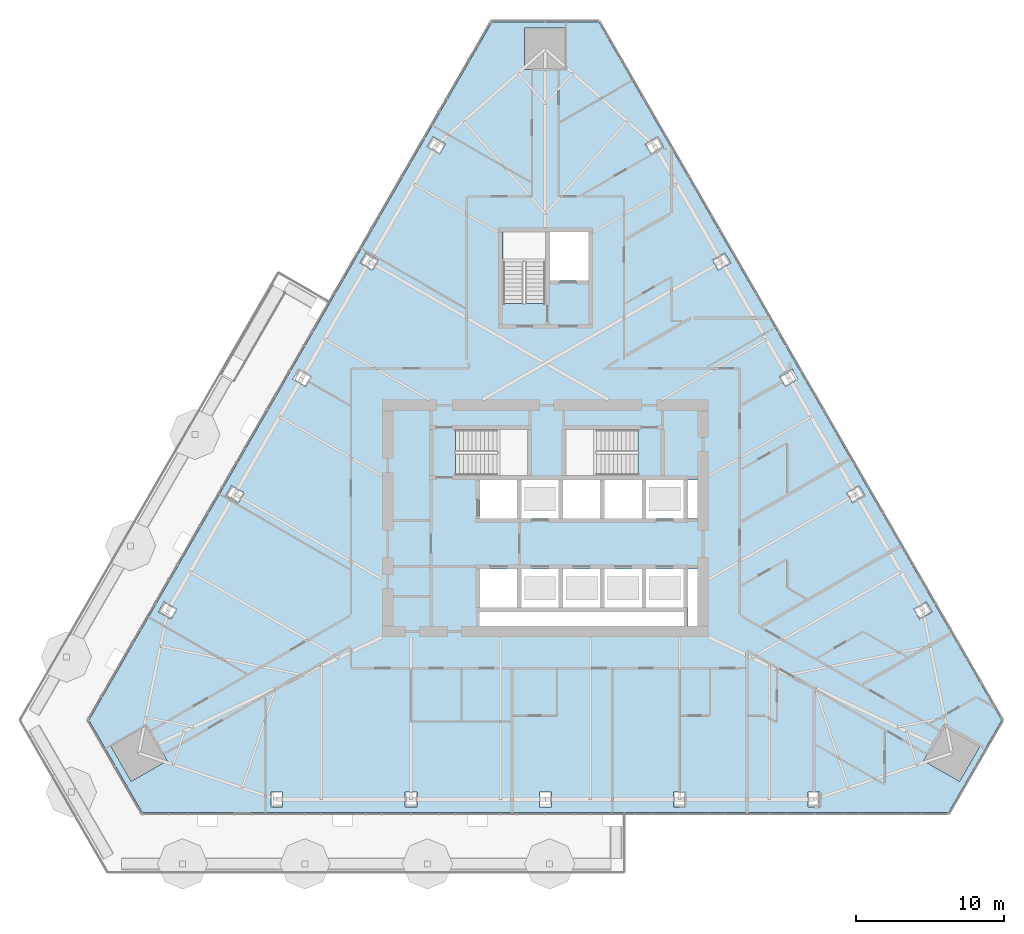
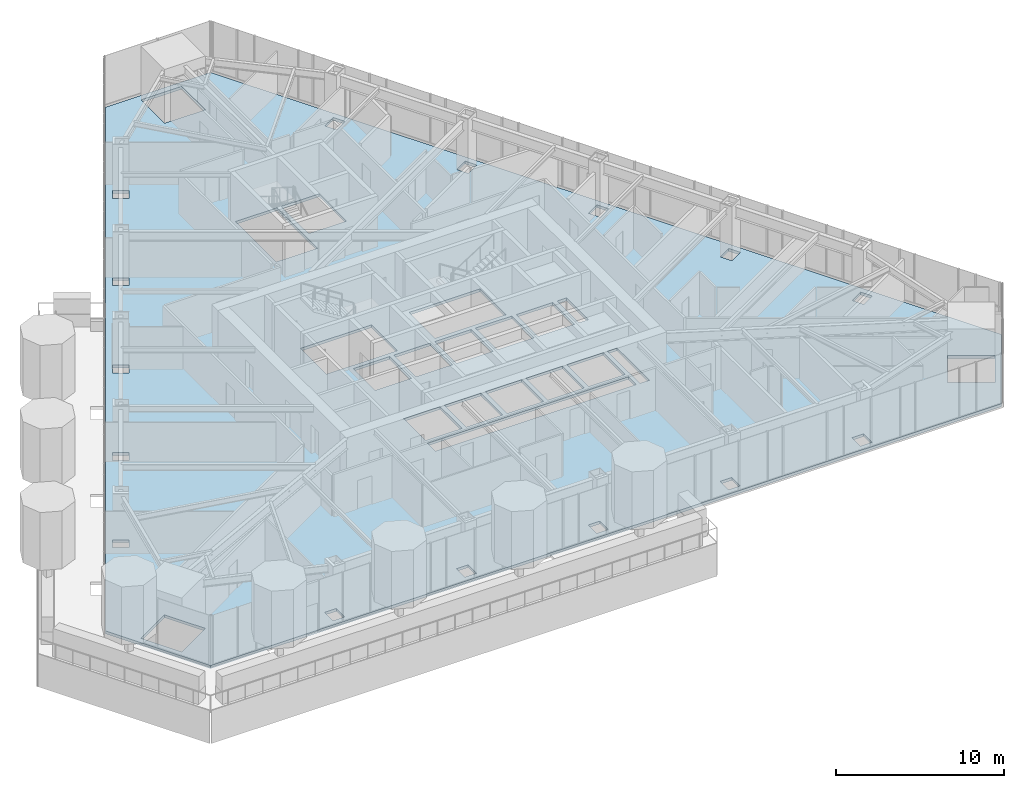
# One storey, part 20 of 32: 1 slab.
"""IFC4 building model written with IfcOpenShell, lengths in metres."""

from ifc_helpers import new_model, si_unit, direction, frame, origin, place, context, subcontext, project, spatial, polyline, outline, extrude, material, layer, layer_set, type_object, element, save


model = new_model("IFC4")

# Units and contexts
model_context = context("Model", 3, precision=1e-05, world=origin(), true_north=direction((0.0, 1.0)))
body_context = subcontext(model_context, "Body", "Model", "MODEL_VIEW")
ifc_project = project(units=[si_unit("LENGTHUNIT", "METRE"), si_unit("AREAUNIT", "SQUARE_METRE"), si_unit("VOLUMEUNIT", "CUBIC_METRE"), si_unit("PLANEANGLEUNIT", "RADIAN"), si_unit("MASSUNIT", "GRAM", prefix="KILO")], contexts=[model_context])

# Site, building, storey
site_placement = place(None, origin())
site = spatial("IfcSite", under=ifc_project, at=site_placement, CompositionType="ELEMENT")
building_placement = place(site_placement, origin())
building = spatial("IfcBuilding", under=site, at=building_placement, Name="Firuza Gate Tower and Library", CompositionType="ELEMENT")
storey_placement = place(building_placement, frame((0.0, 0.0, 163.60009765625)))
storey = spatial("IfcBuildingStorey", under=building, at=storey_placement, Name="L37", CompositionType="ELEMENT", Elevation=163.60009765625)

# Slab
ifc_material = material(Name="Concrete C40/50", Category="concrete")
ifc_layer = layer(ifc_material, 0.199951171875)
ifc_layer_set = layer_set([ifc_layer], Name="Composite floor slab 200 C40/50")
slab_type = type_object("IfcSlabType", Name="Composite floor slab 200 C40/50", PredefinedType="FLOOR", material=ifc_layer_set)
slab_placement = place(storey_placement, frame((0.0, 0.0, -0.2001953125)))
element("IfcSlab", 1, at=slab_placement, inside=storey, type_object=slab_type, Name="Floor slab L37", PredefinedType="FLOOR", context=body_context, shape_type="SweptSolid", body=[
    extrude(outline(polyline([(44.238037109375, 61.396484375), (47.838134765625, 55.1611328125), (102.161865234375, 55.1611328125), (105.761962890625, 61.396484375), (78.60009765625, 108.4423828125), (71.39990234375, 108.4423828125), (44.238037109375, 61.396484375)]), holes=[polyline([(56.491943359375, 55.56103515625), (56.491943359375, 56.56103515625), (57.2919921875, 56.56103515625), (57.2919921875, 55.56103515625), (56.491943359375, 55.56103515625)]), polyline([(74.60009765625, 55.56103515625), (74.60009765625, 56.56103515625), (75.39990234375, 56.56103515625), (75.39990234375, 55.56103515625), (74.60009765625, 55.56103515625)]), polyline([(65.546142578125, 55.56103515625), (65.546142578125, 56.56103515625), (66.345947265625, 56.56103515625), (66.345947265625, 55.56103515625), (65.546142578125, 55.56103515625)]), polyline([(45.6845703125, 59.691162109375), (48.109375, 61.09130859375), (49.50927734375, 58.66650390625), (47.08447265625, 57.266357421875), (45.6845703125, 59.691162109375)]), polyline([(84.35009765625, 67.75), (70.550048828125, 67.75), (70.550048828125, 68.699951171875), (84.35009765625, 68.699951171875), (84.35009765625, 67.75)]), polyline([(49.3115234375, 69.3837890625), (50.177490234375, 68.8837890625), (49.777587890625, 68.191162109375), (48.911376953125, 68.691162109375), (49.3115234375, 69.3837890625)]), polyline([(73.10009765625, 69.0), (70.60009765625, 69.0), (70.60009765625, 71.60009765625), (73.10009765625, 71.60009765625), (73.10009765625, 69.0)]), polyline([(75.89990234375, 69.0), (73.39990234375, 69.0), (73.39990234375, 71.60009765625), (75.89990234375, 71.60009765625), (75.89990234375, 69.0)]), polyline([(73.10009765625, 75.0), (70.60009765625, 75.0), (70.60009765625, 77.60009765625), (73.10009765625, 77.60009765625), (73.10009765625, 75.0)]), polyline([(75.89990234375, 75.0), (73.39990234375, 75.0), (73.39990234375, 77.60009765625), (75.89990234375, 77.60009765625), (75.89990234375, 75.0)]), polyline([(53.83837890625, 77.224853515625), (54.70458984375, 76.724853515625), (54.304443359375, 76.031982421875), (53.4384765625, 76.531982421875), (53.83837890625, 77.224853515625)]), polyline([(73.81005859375, 77.89990234375), (68.9404296875, 77.89990234375), (68.9404296875, 80.97998046875), (73.81005859375, 80.97998046875), (73.81005859375, 77.89990234375)]), polyline([(58.365478515625, 85.06591796875), (59.2314453125, 84.56591796875), (58.83154296875, 83.873046875), (57.96533203125, 84.373046875), (58.365478515625, 85.06591796875)]), polyline([(72.159912109375, 89.470458984375), (72.159912109375, 94.300048828125), (75.0, 94.300048828125), (75.0, 89.470458984375), (72.159912109375, 89.470458984375)]), polyline([(62.892333984375, 92.90673828125), (63.758544921875, 92.40673828125), (63.3583984375, 91.714111328125), (62.492431640625, 92.214111328125), (62.892333984375, 92.90673828125)]), polyline([(75.300048828125, 91.050048828125), (75.300048828125, 94.300048828125), (77.89990234375, 94.300048828125), (77.89990234375, 91.050048828125), (75.300048828125, 91.050048828125)]), polyline([(68.285400390625, 100.247802734375), (67.885498046875, 99.554931640625), (67.01953125, 100.054931640625), (67.41943359375, 100.747802734375), (68.285400390625, 100.247802734375)]), polyline([(76.39990234375, 108.042236328125), (76.39990234375, 105.242431640625), (73.60009765625, 105.242431640625), (73.60009765625, 108.042236328125), (76.39990234375, 108.042236328125)]), polyline([(92.7080078125, 55.56103515625), (92.7080078125, 56.56103515625), (93.508056640625, 56.56103515625), (93.508056640625, 55.56103515625), (92.7080078125, 55.56103515625)]), polyline([(83.654052734375, 55.56103515625), (83.654052734375, 56.56103515625), (84.453857421875, 56.56103515625), (84.453857421875, 55.56103515625), (83.654052734375, 55.56103515625)]), polyline([(102.91552734375, 57.266357421875), (100.49072265625, 58.66650390625), (101.890625, 61.09130859375), (104.3154296875, 59.691162109375), (102.91552734375, 57.266357421875)]), polyline([(101.088623046875, 68.691162109375), (100.222412109375, 68.191162109375), (99.822509765625, 68.8837890625), (100.6884765625, 69.3837890625), (101.088623046875, 68.691162109375)]), polyline([(85.25, 67.75), (84.60009765625, 67.75), (84.60009765625, 71.60009765625), (85.25, 71.60009765625), (85.25, 67.75)]), polyline([(81.5, 69.0), (79.0, 69.0), (79.0, 71.60009765625), (81.5, 71.60009765625), (81.5, 69.0)]), polyline([(81.800048828125, 69.0), (81.800048828125, 71.60009765625), (84.300048828125, 71.60009765625), (84.300048828125, 69.0), (81.800048828125, 69.0)]), polyline([(76.199951171875, 69.0), (76.199951171875, 71.60009765625), (78.699951171875, 71.60009765625), (78.699951171875, 69.0), (76.199951171875, 69.0)]), polyline([(81.5, 75.0), (79.0, 75.0), (79.0, 77.60009765625), (81.5, 77.60009765625), (81.5, 75.0)]), polyline([(84.300048828125, 75.0), (81.800048828125, 75.0), (81.800048828125, 77.60009765625), (84.300048828125, 77.60009765625), (84.300048828125, 75.0)]), polyline([(85.25, 75.0), (84.60009765625, 75.0), (84.60009765625, 77.60009765625), (85.25, 77.60009765625), (85.25, 75.0)]), polyline([(78.699951171875, 75.0), (76.199951171875, 75.0), (76.199951171875, 77.60009765625), (78.699951171875, 77.60009765625), (78.699951171875, 75.0)]), polyline([(96.5615234375, 76.531982421875), (95.695556640625, 76.031982421875), (95.29541015625, 76.724853515625), (96.16162109375, 77.224853515625), (96.5615234375, 76.531982421875)]), polyline([(81.259521484375, 77.89990234375), (76.389892578125, 77.89990234375), (76.389892578125, 80.97998046875), (81.259521484375, 80.97998046875), (81.259521484375, 77.89990234375)]), polyline([(92.03466796875, 84.373046875), (91.16845703125, 83.873046875), (90.7685546875, 84.56591796875), (91.634521484375, 85.06591796875), (92.03466796875, 84.373046875)]), polyline([(86.6416015625, 91.714111328125), (86.241455078125, 92.40673828125), (87.107666015625, 92.90673828125), (87.507568359375, 92.214111328125), (86.6416015625, 91.714111328125)]), polyline([(82.114501953125, 99.554931640625), (81.714599609375, 100.247802734375), (82.58056640625, 100.747802734375), (82.98046875, 100.054931640625), (82.114501953125, 99.554931640625)])]), origin(), (0.0, 0.0, 1.0), 0.2001953125),
])

save(model, "model.ifc")
